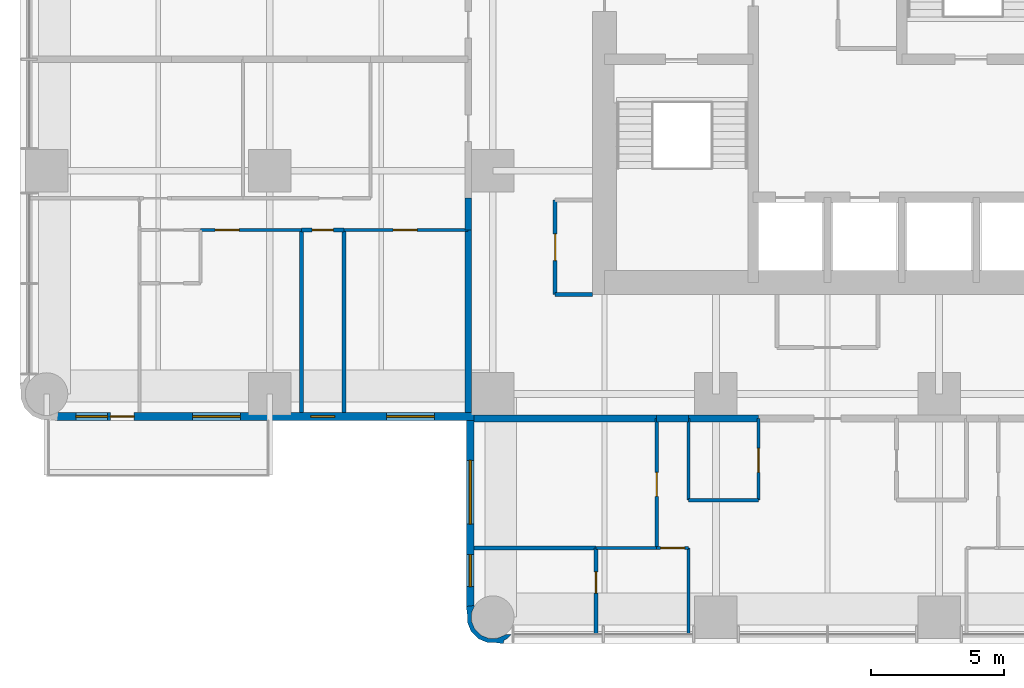
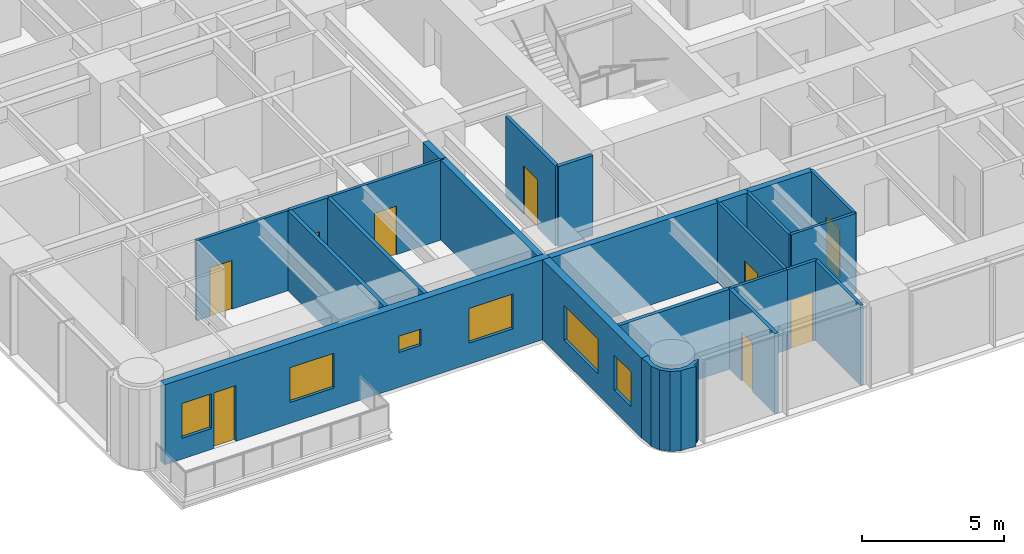
# One storey, part 6 of 15: 24 walls, 9 doors, 6 windows, 15 openings.
"""IFC4 building model written with IfcOpenShell, lengths in metres."""

from ifc_helpers import new_model, si_unit, direction, frame, frame_2d, origin, place, context, subcontext, project, spatial, polyline, rectangle, outline, extrude, material, layer, layer_set, type_object, element, fill, save


model = new_model("IFC4")

# Units and contexts
model_context = context("Model", 3, precision=1e-05, world=origin(), true_north=direction((0.0, 1.0)))
body_context = subcontext(model_context, "Body", "Model", "MODEL_VIEW")
ifc_project = project(units=[si_unit("LENGTHUNIT", "METRE"), si_unit("AREAUNIT", "SQUARE_METRE"), si_unit("VOLUMEUNIT", "CUBIC_METRE"), si_unit("PLANEANGLEUNIT", "RADIAN"), si_unit("MASSUNIT", "GRAM", prefix="KILO")], contexts=[model_context])

# Site, building, storey
site_placement = place(None, origin())
site = spatial("IfcSite", under=ifc_project, at=site_placement, CompositionType="ELEMENT")
building_placement = place(site_placement, origin())
building = spatial("IfcBuilding", under=site, at=building_placement, Name="Torre Alcanfor", CompositionType="ELEMENT")
storey_placement = place(building_placement, frame((0.0, 0.0, 116.10009765625)))
storey = spatial("IfcBuildingStorey", under=building, at=storey_placement, Name="L29", CompositionType="ELEMENT", Elevation=116.10009765625)

# Walls
ifc_material_1 = material(Name="Concrete block masonry, hollow blocks NMX-C-404 9 MPa", Category="masonry")
ifc_layer_1 = layer(ifc_material_1, 0.25)
ifc_layer_set_1 = layer_set([ifc_layer_1], Name="Apartment entrance wall 250 EI 60")
wall_type_1 = type_object("IfcWallType", Name="Apartment entrance wall 250 EI 60", PredefinedType="PARTITIONING", material=ifc_layer_set_1)
wall_1_placement = place(storey_placement, frame((26.800048828125, 15.875, 0.0), z_axis=(0.0, 0.0, 1.0), x_axis=(-1.0, 0.0, 0.0)))
element("IfcWall", 1, at=wall_1_placement, inside=storey, type_object=wall_type_1, Name="Partition L29-CORR / L29-SX-KITCHEN", PredefinedType="PARTITIONING", context=body_context, shape_type="SweptSolid", body=[
    extrude(rectangle(XDim=2.629150390625, YDim=0.25, at=frame_2d((1.314453125, 0.0))), origin(), (0.0, 0.0, 1.0), 3.449951171875),
])
wall_2_placement = place(storey_placement, frame((24.1708984375, 15.875, 0.0), z_axis=(0.0, 0.0, 1.0), x_axis=(-1.0, 0.0, 0.0)))
element("IfcWall", 2, at=wall_2_placement, inside=storey, type_object=wall_type_1, Name="Partition L29-CORR / L29-SX-LIVING", PredefinedType="PARTITIONING", context=body_context, shape_type="SweptSolid", body=[
    extrude(rectangle(XDim=1.199951171875, YDim=0.25, at=frame_2d((0.60009765625, 0.0))), origin(), (0.0, 0.0, 1.0), 3.449951171875),
])
wall_3_placement = place(storey_placement, frame((22.970947265625, 15.875, 0.0), z_axis=(0.0, 0.0, 1.0), x_axis=(-1.0, 0.0, 0.0)))
element("IfcWall", 3, at=wall_3_placement, inside=storey, type_object=wall_type_1, Name="Partition L29-CORR / L29-SX-BED3", PredefinedType="PARTITIONING", context=body_context, shape_type="SweptSolid", body=[
    extrude(rectangle(XDim=6.870849609375, YDim=0.25, at=frame_2d((3.435546875, 0.0))), origin(), (0.0, 0.0, 1.0), 3.449951171875),
])
wall_4_placement = place(storey_placement, frame((15.875, 22.970947265625, 0.0), z_axis=(0.0, 0.0, 1.0), x_axis=(0.0, 1.0, 0.0)))
element("IfcWall", 4, at=wall_4_placement, inside=storey, type_object=wall_type_1, Name="Partition L29-CORR / L29-W1-HALL", PredefinedType="PARTITIONING", context=body_context, shape_type="SweptSolid", body=[
    extrude(rectangle(XDim=1.199951171875, YDim=0.25, at=frame_2d((0.60009765625, 0.0))), origin(), (0.0, 0.0, 1.0), 3.449951171875),
])
wall_5_placement = place(storey_placement, frame((15.875, 16.10009765625, 0.0), z_axis=(0.0, 0.0, 1.0), x_axis=(0.0, 1.0, 0.0)))
element("IfcWall", 5, at=wall_5_placement, inside=storey, type_object=wall_type_1, Name="Partition L29-CORR / L29-W1-BED2", PredefinedType="PARTITIONING", context=body_context, shape_type="SweptSolid", body=[
    extrude(rectangle(XDim=6.870849609375, YDim=0.25, at=frame_2d((3.435546875, 0.0))), origin(), (0.0, 0.0, 1.0), 3.449951171875),
])

# Wall, opening, door
ifc_material_2 = material(Name="Gypsum board on steel studs", Category="steel")
ifc_layer_2 = layer(ifc_material_2, 0.1201171875)
ifc_layer_set_2 = layer_set([ifc_layer_2], Name="Apartment partition 120")
wall_type_2 = type_object("IfcWallType", Name="Apartment partition 120", PredefinedType="PARTITIONING", material=ifc_layer_set_2)
wall_6_placement = place(storey_placement, frame((26.800048828125, 15.875, 0.0), z_axis=(0.0, 0.0, 1.0), x_axis=(0.0, -1.0, 0.0)))
wall_6 = element("IfcWall", 6, at=wall_6_placement, inside=storey, type_object=wall_type_2, Name="Partition L29-SX-ZAG / L29-SX-KITCHEN", PredefinedType="PARTITIONING", context=body_context, shape_type="SweptSolid", body=[
    extrude(rectangle(XDim=3.074951171875, YDim=0.1201171875, at=frame_2d((1.53759765625, 0.0))), origin(), (0.0, 0.0, 1.0), 3.449951171875),
])
opening_1_placement = place(wall_6_placement, frame((1.125, 0.0, 0.0)))
opening_1 = element("IfcOpeningElement", 7, at=opening_1_placement, cuts=wall_6, Name="Opening D-R1", PredefinedType="OPENING", context=body_context, shape_type="SweptSolid", body=[
    extrude(rectangle(XDim=0.89990234375, YDim=2.10009765625, at=frame_2d((0.449951171875, 1.050048828125))), frame((0.0, 0.070068359375, 0.0), z_axis=(0.0, -1.0, 0.0), x_axis=(1.0, 0.0, 0.0)), (0.0, 0.0, 1.0), 0.14013671875),
])
ifc_material_3 = material(Name="Timber", Category="wood")
door_type_1 = type_object("IfcDoorType", Name="Internal door 900x2100", OperationType="SINGLE_SWING_LEFT", PredefinedType="DOOR", material=ifc_material_3)
door_1_placement = place(opening_1_placement, frame((0.89990234375, 0.0, 0.0), z_axis=(0.0, 0.0, 1.0), x_axis=(-1.0, 0.0, 0.0)))
door_1 = element("IfcDoor", 8, at=door_1_placement, inside=storey, type_object=door_type_1, Name="Door L29-SX kitchen", OperationType="SINGLE_SWING_LEFT", OverallHeight=2.10009765625, OverallWidth=0.89990234375, PredefinedType="DOOR", context=body_context, shape_type="SweptSolid", body=[
    extrude(rectangle(XDim=0.89990234375, YDim=2.10009765625, at=frame_2d((0.449951171875, 1.050048828125))), frame((0.0, 0.025146484375, 0.0), z_axis=(0.0, -1.0, 0.0), x_axis=(1.0, 0.0, 0.0)), (0.0, 0.0, 1.0), 0.050048828125),
])
fill(opening_1, door_1)

# Walls
wall_7_placement = place(storey_placement, frame((24.1708984375, 15.875, 0.0), z_axis=(0.0, 0.0, 1.0), x_axis=(0.0, -1.0, 0.0)))
element("IfcWall", 9, at=wall_7_placement, inside=storey, type_object=wall_type_2, Name="Partition L29-SX-KITCHEN / L29-SX-LIVING", PredefinedType="PARTITIONING", context=body_context, shape_type="SweptSolid", body=[
    extrude(rectangle(XDim=3.074951171875, YDim=0.1201171875, at=frame_2d((1.53759765625, 0.0))), origin(), (0.0, 0.0, 1.0), 3.449951171875),
])
wall_8_placement = place(storey_placement, frame((24.1708984375, 12.800048828125, 0.0), z_axis=(0.0, 0.0, 1.0), x_axis=(1.0, 0.0, 0.0)))
element("IfcWall", 10, at=wall_8_placement, inside=storey, type_object=wall_type_2, Name="Partition L29-SX-KITCHEN / L29-SX-LIVING", PredefinedType="PARTITIONING", context=body_context, shape_type="SweptSolid", body=[
    extrude(rectangle(XDim=2.629150390625, YDim=0.1201171875, at=frame_2d((1.314453125, 0.0))), origin(), (0.0, 0.0, 1.0), 3.449951171875),
])

# Wall, opening, door
wall_9_placement = place(storey_placement, frame((22.970947265625, 11.0, 0.0), z_axis=(0.0, 0.0, 1.0), x_axis=(0.0, 1.0, 0.0)))
wall_9 = element("IfcWall", 11, at=wall_9_placement, inside=storey, type_object=wall_type_2, Name="Partition L29-SX-LIVING / L29-SX-BED3", PredefinedType="PARTITIONING", context=body_context, shape_type="SweptSolid", body=[
    extrude(rectangle(XDim=4.875, YDim=0.1201171875, at=frame_2d((2.4375, 0.0))), origin(), (0.0, 0.0, 1.0), 3.449951171875),
])
opening_2_placement = place(wall_9_placement, frame((1.949951171875, 0.0, 0.0)))
opening_2 = element("IfcOpeningElement", 12, at=opening_2_placement, cuts=wall_9, Name="Opening D-R1", PredefinedType="OPENING", context=body_context, shape_type="SweptSolid", body=[
    extrude(rectangle(XDim=0.89990234375, YDim=2.10009765625, at=frame_2d((0.449951171875, 1.050048828125))), frame((0.0, 0.070068359375, 0.0), z_axis=(0.0, -1.0, 0.0), x_axis=(1.0, 0.0, 0.0)), (0.0, 0.0, 1.0), 0.14013671875),
])
door_2_placement = place(opening_2_placement, origin())
door_2 = element("IfcDoor", 13, at=door_2_placement, inside=storey, type_object=door_type_1, Name="Door L29-SX bed3", OperationType="SINGLE_SWING_LEFT", OverallHeight=2.10009765625, OverallWidth=0.89990234375, PredefinedType="DOOR", context=body_context, shape_type="SweptSolid", body=[
    extrude(rectangle(XDim=0.89990234375, YDim=2.10009765625, at=frame_2d((0.449951171875, 1.050048828125))), frame((0.0, 0.02490234375, 0.0), z_axis=(0.0, -1.0, 0.0), x_axis=(1.0, 0.0, 0.0)), (0.0, 0.0, 1.0), 0.050048828125),
])
fill(opening_2, door_2)

# Wall
wall_10_placement = place(storey_placement, frame((24.1708984375, 7.75, 0.0), z_axis=(0.0, 0.0, 1.0), x_axis=(0.0, 1.0, 0.0)))
element("IfcWall", 14, at=wall_10_placement, inside=storey, type_object=wall_type_2, Name="Partition L29-SX-LIVING / L29-SX-BED1", PredefinedType="PARTITIONING", context=body_context, shape_type="SweptSolid", body=[
    extrude(rectangle(XDim=3.25, YDim=0.1201171875, at=frame_2d((1.625, 0.0))), origin(), (0.0, 0.0, 1.0), 3.449951171875),
])

# Wall, opening, door
wall_11_placement = place(storey_placement, frame((24.1708984375, 11.0, 0.0), z_axis=(0.0, 0.0, 1.0), x_axis=(-1.0, 0.0, 0.0)))
wall_11 = element("IfcWall", 15, at=wall_11_placement, inside=storey, type_object=wall_type_2, Name="Partition L29-SX-LIVING / L29-SX-BED1", PredefinedType="PARTITIONING", context=body_context, shape_type="SweptSolid", body=[
    extrude(rectangle(XDim=1.199951171875, YDim=0.1201171875, at=frame_2d((0.60009765625, 0.0))), origin(), (0.0, 0.0, 1.0), 3.449951171875),
])
opening_3_placement = place(wall_11_placement, frame((0.15087890625, 0.0, 0.0)))
opening_3 = element("IfcOpeningElement", 16, at=opening_3_placement, cuts=wall_11, Name="Opening D-R1", PredefinedType="OPENING", context=body_context, shape_type="SweptSolid", body=[
    extrude(rectangle(XDim=0.89990234375, YDim=2.10009765625, at=frame_2d((0.449951171875, 1.050048828125))), frame((0.0, 0.070068359375, 0.0), z_axis=(0.0, -1.0, 0.0), x_axis=(1.0, 0.0, 0.0)), (0.0, 0.0, 1.0), 0.14013671875),
])
door_3_placement = place(opening_3_placement, origin())
door_3 = element("IfcDoor", 17, at=door_3_placement, inside=storey, type_object=door_type_1, Name="Door L29-SX bed1", OperationType="SINGLE_SWING_LEFT", OverallHeight=2.10009765625, OverallWidth=0.89990234375, PredefinedType="DOOR", context=body_context, shape_type="SweptSolid", body=[
    extrude(rectangle(XDim=0.89990234375, YDim=2.10009765625, at=frame_2d((0.449951171875, 1.050048828125))), frame((0.0, 0.02490234375, 0.0), z_axis=(0.0, -1.0, 0.0), x_axis=(1.0, 0.0, 0.0)), (0.0, 0.0, 1.0), 0.050048828125),
])
fill(opening_3, door_3)

# Wall
wall_12_placement = place(storey_placement, frame((20.68603515625, 11.0, 0.0), z_axis=(0.0, 0.0, 1.0), x_axis=(1.0, 0.0, 0.0)))
element("IfcWall", 18, at=wall_12_placement, inside=storey, type_object=wall_type_2, Name="Partition L29-SX-BED3 / L29-SX-BED1", PredefinedType="PARTITIONING", context=body_context, shape_type="SweptSolid", body=[
    extrude(rectangle(XDim=2.284912109375, YDim=0.1201171875, at=frame_2d((1.142578125, 0.0))), origin(), (0.0, 0.0, 1.0), 3.449951171875),
])

# Wall, opening, door
wall_13_placement = place(storey_placement, frame((11.199951171875, 22.970947265625, 0.0), z_axis=(0.0, 0.0, 1.0), x_axis=(1.0, 0.0, 0.0)))
wall_13 = element("IfcWall", 19, at=wall_13_placement, inside=storey, type_object=wall_type_2, Name="Partition L29-W1-HALL / L29-W1-BED2", PredefinedType="PARTITIONING", context=body_context, shape_type="SweptSolid", body=[
    extrude(rectangle(XDim=4.675048828125, YDim=0.1201171875, at=frame_2d((2.33740234375, 0.0))), origin(), (0.0, 0.0, 1.0), 3.449951171875),
])
opening_4_placement = place(wall_13_placement, frame((1.85009765625, 0.0, 0.0)))
opening_4 = element("IfcOpeningElement", 20, at=opening_4_placement, cuts=wall_13, Name="Opening D-R1", PredefinedType="OPENING", context=body_context, shape_type="SweptSolid", body=[
    extrude(rectangle(XDim=0.89990234375, YDim=2.10009765625, at=frame_2d((0.449951171875, 1.050048828125))), frame((0.0, 0.070068359375, 0.0), z_axis=(0.0, -1.0, 0.0), x_axis=(1.0, 0.0, 0.0)), (0.0, 0.0, 1.0), 0.14013671875),
])
door_4_placement = place(opening_4_placement, frame((0.89990234375, 0.0, 0.0), z_axis=(0.0, 0.0, 1.0), x_axis=(-1.0, 0.0, 0.0)))
door_4 = element("IfcDoor", 21, at=door_4_placement, inside=storey, type_object=door_type_1, Name="Door L29-W1 bed2", OperationType="SINGLE_SWING_RIGHT", OverallHeight=2.10009765625, OverallWidth=0.89990234375, PredefinedType="DOOR", context=body_context, shape_type="SweptSolid", body=[
    extrude(rectangle(XDim=0.89990234375, YDim=2.10009765625, at=frame_2d((0.449951171875, 1.050048828125))), frame((0.0, 0.025146484375, 0.0), z_axis=(0.0, -1.0, 0.0), x_axis=(1.0, 0.0, 0.0)), (0.0, 0.0, 1.0), 0.050048828125),
])
fill(opening_4, door_4)

wall_14_placement = place(storey_placement, frame((5.800048828125, 22.970947265625, 0.0), z_axis=(0.0, 0.0, 1.0), x_axis=(1.0, 0.0, 0.0)))
wall_14 = element("IfcWall", 22, at=wall_14_placement, inside=storey, type_object=wall_type_2, Name="Partition L29-W1-HALL / L29-W1-MASTER", PredefinedType="PARTITIONING", context=body_context, shape_type="SweptSolid", body=[
    extrude(rectangle(XDim=3.800048828125, YDim=0.1201171875, at=frame_2d((1.89990234375, 0.0))), origin(), (0.0, 0.0, 1.0), 3.449951171875),
])
opening_5_placement = place(wall_14_placement, frame((0.550048828125, 0.0, 0.0)))
opening_5 = element("IfcOpeningElement", 23, at=opening_5_placement, cuts=wall_14, Name="Opening D-R1", PredefinedType="OPENING", context=body_context, shape_type="SweptSolid", body=[
    extrude(rectangle(XDim=0.89990234375, YDim=2.10009765625, at=frame_2d((0.449951171875, 1.050048828125))), frame((0.0, 0.070068359375, 0.0), z_axis=(0.0, -1.0, 0.0), x_axis=(1.0, 0.0, 0.0)), (0.0, 0.0, 1.0), 0.14013671875),
])
door_5_placement = place(opening_5_placement, frame((0.89990234375, 0.0, 0.0), z_axis=(0.0, 0.0, 1.0), x_axis=(-1.0, 0.0, 0.0)))
door_5 = element("IfcDoor", 24, at=door_5_placement, inside=storey, type_object=door_type_1, Name="Door L29-W1 master", OperationType="SINGLE_SWING_RIGHT", OverallHeight=2.10009765625, OverallWidth=0.89990234375, PredefinedType="DOOR", context=body_context, shape_type="SweptSolid", body=[
    extrude(rectangle(XDim=0.89990234375, YDim=2.10009765625, at=frame_2d((0.449951171875, 1.050048828125))), frame((0.0, 0.025146484375, 0.0), z_axis=(0.0, -1.0, 0.0), x_axis=(1.0, 0.0, 0.0)), (0.0, 0.0, 1.0), 0.050048828125),
])
fill(opening_5, door_5)

# Wall, openings, door, windows
ifc_material_4 = material(Name="Limestone cladding", Category="masonry")
ifc_layer_3 = layer(ifc_material_4, 0.0400390625, Name="Facing")
ifc_material_5 = material(Name="Ventilated air cavity")
ifc_layer_4 = layer(ifc_material_5, 0.02001953125, ventilated=True, Name="Ventilated joint")
ifc_material_6 = material(Name="Mineral wool insulation", Category="insulation")
ifc_layer_5 = layer(ifc_material_6, 0.10009765625, Name="Insulation")
ifc_material_7 = material(Name="Concrete f'c 35 MPa", Category="concrete")
ifc_layer_6 = layer(ifc_material_7, 0.139892578125, Name="Backing")
ifc_layer_set_3 = layer_set([ifc_layer_3, ifc_layer_4, ifc_layer_5, ifc_layer_6], Name="External wall stone-clad 300")
wall_type_3 = type_object("IfcWallType", Name="External wall stone-clad 300", PredefinedType="SOLIDWALL", material=ifc_layer_set_3)
wall_15_placement = place(storey_placement, frame((0.39990234375, 15.949951171875, 0.0), z_axis=(0.0, 0.0, 1.0), x_axis=(1.0, 0.0, 0.0)))
wall_15 = element("IfcWall", 25, at=wall_15_placement, inside=storey, type_object=wall_type_3, Name="External wall L29 3", PredefinedType="SOLIDWALL", context=body_context, shape_type="SweptSolid", body=[
    extrude(rectangle(XDim=15.7001953125, YDim=0.300048828125, at=frame_2d((7.85009765625, 0.0))), origin(), (0.0, 0.0, 1.0), 3.449951171875),
])
opening_6_placement = place(wall_15_placement, frame((12.39990234375, 0.0, 0.89990234375)))
opening_6 = element("IfcOpeningElement", 26, at=opening_6_placement, cuts=wall_15, Name="Opening W2", PredefinedType="OPENING", context=body_context, shape_type="SweptSolid", body=[
    extrude(rectangle(XDim=1.800048828125, YDim=1.5, at=frame_2d((0.89990234375, 0.75))), frame((0.0, 0.159912109375, 0.0), z_axis=(0.0, -1.0, 0.0), x_axis=(1.0, 0.0, 0.0)), (0.0, 0.0, 1.0), 0.320068359375),
])
opening_7_placement = place(wall_15_placement, frame((9.550048828125, 0.0, 1.5)))
opening_7 = element("IfcOpeningElement", 27, at=opening_7_placement, cuts=wall_15, Name="Opening W3", PredefinedType="OPENING", context=body_context, shape_type="SweptSolid", body=[
    extrude(rectangle(XDim=0.89990234375, YDim=0.699951171875, at=frame_2d((0.449951171875, 0.35009765625))), frame((0.0, 0.159912109375, 0.0), z_axis=(0.0, -1.0, 0.0), x_axis=(1.0, 0.0, 0.0)), (0.0, 0.0, 1.0), 0.320068359375),
])
opening_8_placement = place(wall_15_placement, frame((5.10009765625, 0.0, 0.89990234375)))
opening_8 = element("IfcOpeningElement", 28, at=opening_8_placement, cuts=wall_15, Name="Opening W2", PredefinedType="OPENING", context=body_context, shape_type="SweptSolid", body=[
    extrude(rectangle(XDim=1.800048828125, YDim=1.5, at=frame_2d((0.89990234375, 0.75))), frame((0.0, 0.159912109375, 0.0), z_axis=(0.0, -1.0, 0.0), x_axis=(1.0, 0.0, 0.0)), (0.0, 0.0, 1.0), 0.320068359375),
])
opening_9_placement = place(wall_15_placement, frame((2.0, 0.0, 0.0)))
opening_9 = element("IfcOpeningElement", 29, at=opening_9_placement, cuts=wall_15, Name="Opening D-B1", PredefinedType="OPENING", context=body_context, shape_type="SweptSolid", body=[
    extrude(rectangle(XDim=0.89990234375, YDim=2.39990234375, at=frame_2d((0.449951171875, 1.199951171875))), frame((0.0, 0.159912109375, 0.0), z_axis=(0.0, -1.0, 0.0), x_axis=(1.0, 0.0, 0.0)), (0.0, 0.0, 1.0), 0.320068359375),
])
opening_10_placement = place(wall_15_placement, frame((0.699951171875, 0.0, 0.89990234375)))
opening_10 = element("IfcOpeningElement", 30, at=opening_10_placement, cuts=wall_15, Name="Opening W4", PredefinedType="OPENING", context=body_context, shape_type="SweptSolid", body=[
    extrude(rectangle(XDim=1.199951171875, YDim=1.5, at=frame_2d((0.60009765625, 0.75))), frame((0.0, 0.159912109375, 0.0), z_axis=(0.0, -1.0, 0.0), x_axis=(1.0, 0.0, 0.0)), (0.0, 0.0, 1.0), 0.320068359375),
])
ifc_material_8 = material(Name="Aluminium and glass", Category="aluminium")
door_type_2 = type_object("IfcDoorType", Name="Balcony door glazed 900x2400", OperationType="SINGLE_SWING_LEFT", PredefinedType="DOOR", material=ifc_material_8)
door_6_placement = place(opening_9_placement, origin())
door_6 = element("IfcDoor", 31, at=door_6_placement, inside=storey, type_object=door_type_2, Name="Balcony door L29-W1", OperationType="SINGLE_SWING_RIGHT", OverallHeight=2.39990234375, OverallWidth=0.89990234375, PredefinedType="DOOR", context=body_context, shape_type="SweptSolid", body=[
    extrude(rectangle(XDim=0.89990234375, YDim=2.39990234375, at=frame_2d((0.449951171875, 1.199951171875))), frame((0.0, 0.02490234375, 0.0), z_axis=(0.0, -1.0, 0.0), x_axis=(1.0, 0.0, 0.0)), (0.0, 0.0, 1.0), 0.050048828125),
])
fill(opening_9, door_6)
ifc_material_9 = material(Name="Aluminium frame with clear double glazing", Category="aluminium")
window_type_1 = type_object("IfcWindowType", Name="Window bathroom 900x700", PartitioningType="SINGLE_PANEL", PredefinedType="WINDOW", material=ifc_material_9)
window_1_placement = place(opening_7_placement, origin())
window_1 = element("IfcWindow", 32, at=window_1_placement, inside=storey, type_object=window_type_1, Name="Window W3 L29-W1", OverallHeight=0.699951171875, OverallWidth=0.89990234375, PartitioningType="SINGLE_PANEL", PredefinedType="WINDOW", context=body_context, shape_type="SweptSolid", body=[
    extrude(rectangle(XDim=0.89990234375, YDim=0.699951171875, at=frame_2d((0.449951171875, 0.35009765625))), frame((0.0, 0.030029296875, 0.0), z_axis=(0.0, -1.0, 0.0), x_axis=(1.0, 0.0, 0.0)), (0.0, 0.0, 1.0), 0.06005859375),
])
fill(opening_7, window_1)
ifc_material_10 = material(Name="Aluminium frame with clear double glazing", Category="aluminium")
window_type_2 = type_object("IfcWindowType", Name="Window bedroom 1200x1500", PartitioningType="SINGLE_PANEL", PredefinedType="WINDOW", material=ifc_material_10)
window_2_placement = place(opening_10_placement, origin())
window_2 = element("IfcWindow", 33, at=window_2_placement, inside=storey, type_object=window_type_2, Name="Window W4 L29-W1", OverallHeight=1.5, OverallWidth=1.199951171875, PartitioningType="SINGLE_PANEL", PredefinedType="WINDOW", context=body_context, shape_type="SweptSolid", body=[
    extrude(rectangle(XDim=1.199951171875, YDim=1.5, at=frame_2d((0.60009765625, 0.75))), frame((0.0, 0.030029296875, 0.0), z_axis=(0.0, -1.0, 0.0), x_axis=(1.0, 0.0, 0.0)), (0.0, 0.0, 1.0), 0.06005859375),
])
fill(opening_10, window_2)
ifc_material_11 = material(Name="Aluminium frame with clear double glazing", Category="aluminium")
window_type_3 = type_object("IfcWindowType", Name="Window bedroom 1800x1500", PartitioningType="SINGLE_PANEL", PredefinedType="WINDOW", material=ifc_material_11)
window_3_placement = place(opening_6_placement, origin())
window_3 = element("IfcWindow", 34, at=window_3_placement, inside=storey, type_object=window_type_3, Name="Window W2 L29-W1", OverallHeight=1.5, OverallWidth=1.800048828125, PartitioningType="SINGLE_PANEL", PredefinedType="WINDOW", context=body_context, shape_type="SweptSolid", body=[
    extrude(rectangle(XDim=1.800048828125, YDim=1.5, at=frame_2d((0.89990234375, 0.75))), frame((0.0, 0.030029296875, 0.0), z_axis=(0.0, -1.0, 0.0), x_axis=(1.0, 0.0, 0.0)), (0.0, 0.0, 1.0), 0.06005859375),
])
fill(opening_6, window_3)
window_4_placement = place(opening_8_placement, origin())
window_4 = element("IfcWindow", 35, at=window_4_placement, inside=storey, type_object=window_type_3, Name="Window W2 L29-W1", OverallHeight=1.5, OverallWidth=1.800048828125, PartitioningType="SINGLE_PANEL", PredefinedType="WINDOW", context=body_context, shape_type="SweptSolid", body=[
    extrude(rectangle(XDim=1.800048828125, YDim=1.5, at=frame_2d((0.89990234375, 0.75))), frame((0.0, 0.030029296875, 0.0), z_axis=(0.0, -1.0, 0.0), x_axis=(1.0, 0.0, 0.0)), (0.0, 0.0, 1.0), 0.06005859375),
])
fill(opening_8, window_4)

# Wall, openings, windows
wall_16_placement = place(storey_placement, frame((15.949951171875, 15.800048828125, 0.0), z_axis=(0.0, 0.0, 1.0), x_axis=(0.0, -1.0, 0.0)))
wall_16 = element("IfcWall", 36, at=wall_16_placement, inside=storey, type_object=wall_type_3, Name="External wall L29 4", PredefinedType="SOLIDWALL", context=body_context, shape_type="SweptSolid", body=[
    extrude(rectangle(XDim=7.0, YDim=0.300048828125, at=frame_2d((3.5, 0.0))), origin(), (0.0, 0.0, 1.0), 3.449951171875),
])
opening_11_placement = place(wall_16_placement, frame((1.5, 0.0, 0.89990234375)))
opening_11 = element("IfcOpeningElement", 37, at=opening_11_placement, cuts=wall_16, Name="Opening W1", PredefinedType="OPENING", context=body_context, shape_type="SweptSolid", body=[
    extrude(rectangle(XDim=2.39990234375, YDim=1.5, at=frame_2d((1.199951171875, 0.75))), frame((0.0, 0.159912109375, 0.0), z_axis=(0.0, -1.0, 0.0), x_axis=(1.0, 0.0, 0.0)), (0.0, 0.0, 1.0), 0.320068359375),
])
opening_12_placement = place(wall_16_placement, frame((5.050048828125, 0.0, 0.89990234375)))
opening_12 = element("IfcOpeningElement", 38, at=opening_12_placement, cuts=wall_16, Name="Opening W4", PredefinedType="OPENING", context=body_context, shape_type="SweptSolid", body=[
    extrude(rectangle(XDim=1.199951171875, YDim=1.5, at=frame_2d((0.60009765625, 0.75))), frame((0.0, 0.159912109375, 0.0), z_axis=(0.0, -1.0, 0.0), x_axis=(1.0, 0.0, 0.0)), (0.0, 0.0, 1.0), 0.320068359375),
])
window_5_placement = place(opening_12_placement, origin())
window_5 = element("IfcWindow", 39, at=window_5_placement, inside=storey, type_object=window_type_2, Name="Window W4 L29-S2", OverallHeight=1.5, OverallWidth=1.199951171875, PartitioningType="SINGLE_PANEL", PredefinedType="WINDOW", context=body_context, shape_type="SweptSolid", body=[
    extrude(rectangle(XDim=1.199951171875, YDim=1.5, at=frame_2d((0.60009765625, 0.75))), frame((0.0, 0.030029296875, 0.0), z_axis=(0.0, -1.0, 0.0), x_axis=(1.0, 0.0, 0.0)), (0.0, 0.0, 1.0), 0.06005859375),
])
fill(opening_12, window_5)
ifc_material_12 = material(Name="Aluminium frame with clear double glazing", Category="aluminium")
window_type_4 = type_object("IfcWindowType", Name="Window bedroom 2400x1500", PartitioningType="SINGLE_PANEL", PredefinedType="WINDOW", material=ifc_material_12)
window_6_placement = place(opening_11_placement, origin())
window_6 = element("IfcWindow", 40, at=window_6_placement, inside=storey, type_object=window_type_4, Name="Window W1 L29-S2", OverallHeight=1.5, OverallWidth=2.39990234375, PartitioningType="SINGLE_PANEL", PredefinedType="WINDOW", context=body_context, shape_type="SweptSolid", body=[
    extrude(rectangle(XDim=2.39990234375, YDim=1.5, at=frame_2d((1.199951171875, 0.75))), frame((0.0, 0.030029296875, 0.0), z_axis=(0.0, -1.0, 0.0), x_axis=(1.0, 0.0, 0.0)), (0.0, 0.0, 1.0), 0.06005859375),
])
fill(opening_11, window_6)

# Wall, opening, door
ifc_material_13 = material(Name="Concrete block masonry, hollow blocks NMX-C-404 9 MPa", Category="masonry")
ifc_layer_7 = layer(ifc_material_13, 0.14990234375)
ifc_layer_set_4 = layer_set([ifc_layer_7], Name="Residents' room partition 150")
wall_type_4 = type_object("IfcWallType", Name="Residents' room partition 150", PredefinedType="PARTITIONING", material=ifc_layer_set_4)
wall_17_placement = place(storey_placement, frame((19.14990234375, 24.10009765625, 0.0), z_axis=(0.0, 0.0, 1.0), x_axis=(0.0, -1.0, 0.0)))
wall_17 = element("IfcWall", 41, at=wall_17_placement, inside=storey, type_object=wall_type_4, Name="Partition L29-CORR / L29-G06", PredefinedType="PARTITIONING", context=body_context, shape_type="SweptSolid", body=[
    extrude(rectangle(XDim=3.550048828125, YDim=0.14990234375, at=frame_2d((1.77490234375, 0.0))), origin(), (0.0, 0.0, 1.0), 3.449951171875),
])
opening_13_placement = place(wall_17_placement, frame((1.27490234375, 0.0, 0.0)))
opening_13 = element("IfcOpeningElement", 42, at=opening_13_placement, cuts=wall_17, Name="Opening D-M1", PredefinedType="OPENING", context=body_context, shape_type="SweptSolid", body=[
    extrude(rectangle(XDim=1.0, YDim=2.10009765625, at=frame_2d((0.5, 1.050048828125))), frame((0.0, 0.0849609375, 0.0), z_axis=(0.0, -1.0, 0.0), x_axis=(1.0, 0.0, 0.0)), (0.0, 0.0, 1.0), 0.169921875),
])
ifc_material_14 = material(Name="Timber", Category="wood")
door_type_3 = type_object("IfcDoorType", Name="Residents' room door 1000x2100", OperationType="SINGLE_SWING_LEFT", PredefinedType="DOOR", material=ifc_material_14)
door_7_placement = place(opening_13_placement, origin())
door_7 = element("IfcDoor", 43, at=door_7_placement, inside=storey, type_object=door_type_3, Name="Door L29-G06 parcel room", OperationType="SINGLE_SWING_LEFT", OverallHeight=2.10009765625, OverallWidth=1.0, PredefinedType="DOOR", context=body_context, shape_type="SweptSolid", body=[
    extrude(rectangle(XDim=1.0, YDim=2.10009765625, at=frame_2d((0.5, 1.050048828125))), frame((0.0, 0.02490234375, 0.0), z_axis=(0.0, -1.0, 0.0), x_axis=(1.0, 0.0, 0.0)), (0.0, 0.0, 1.0), 0.050048828125),
])
fill(opening_13, door_7)

# Walls
wall_18_placement = place(storey_placement, frame((19.14990234375, 20.550048828125, 0.0), z_axis=(0.0, 0.0, 1.0), x_axis=(1.0, 0.0, 0.0)))
element("IfcWall", 44, at=wall_18_placement, inside=storey, type_object=wall_type_4, Name="Partition L29-CORR / L29-G06", PredefinedType="PARTITIONING", context=body_context, shape_type="SweptSolid", body=[
    extrude(rectangle(XDim=1.400146484375, YDim=0.14990234375, at=frame_2d((0.7001953125, 0.0))), origin(), (0.0, 0.0, 1.0), 3.449951171875),
])
ifc_layer_8 = layer(ifc_material_4, 0.0400390625, Name="Facing")
ifc_layer_9 = layer(ifc_material_5, 0.02001953125, ventilated=True, Name="Ventilated joint")
ifc_layer_10 = layer(ifc_material_6, 0.10009765625, Name="Insulation")
ifc_layer_11 = layer(ifc_material_7, 0.139892578125, Name="Backing")
ifc_layer_set_5 = layer_set([ifc_layer_8, ifc_layer_9, ifc_layer_10, ifc_layer_11], Name="Rounded corner pier stone-clad 300")
wall_type_5 = type_object("IfcWallType", Name="Rounded corner pier stone-clad 300", PredefinedType="SOLIDWALL", material=ifc_layer_set_5)
wall_19_placement = place(storey_placement, frame((15.982940512, 8.726823795, 0.0), z_axis=(0.0, 0.0, 1.0), x_axis=(-0.343276641956, -0.93923434088, 0.0)))
element("IfcWall", 45, at=wall_19_placement, inside=storey, type_object=wall_type_5, Name="Corner pier L29 15", PredefinedType="SOLIDWALL", context=body_context, shape_type="SweptSolid", body=[
    extrude(outline(polyline([(0.8285188621172053, 1.5985593448955209), (0.6965961152022397, 1.5690588556644411), (0.6041961706613557, 1.669674810951586), (0.3940973255728224, 1.767303623446145), (0.47128428534856764, 1.55611347990365), (0.5085447362659081, 1.5387992791780876), (0.7240402358503313, 1.3040772160031127), (0.8334093808094493, 1.0048338530031606), (0.8200582319080854, 0.6864716314609828), (0.6857640531711582, 0.3974683020769049), (0.4510419899961833, 0.18197280249248177), (0.15179862699623123, 0.07260365753336384), (-0.11622928371084919, 0.08407628105020303), (-0.1273371975026375, 0.0781969477675098), (-0.14614022874094865, 0.07132471030647711), (-0.0059930226407584886, -0.19691459363495123), (0.26574754989690047, -0.054967852634112954), (0.535410534485363, 0.043590089489965705), (0.8166395849446566, 0.30181686768145743), (0.9775598034528271, 0.6481198820896807), (0.9938114202888776, 1.0296668379252687), (0.8951696703908839, 1.299559127772735), (0.8285188621172053, 1.5985593448955209)])), origin(), (0.0, 0.0, 1.0), 3.449951171875),
])
ifc_material_15 = material(Name="Cement board on steel studs", Category="steel")
ifc_layer_12 = layer(ifc_material_15, 0.14990234375)
ifc_layer_set_6 = layer_set([ifc_layer_12], Name="Wet area partition 150")
wall_type_6 = type_object("IfcWallType", Name="Wet area partition 150", PredefinedType="PARTITIONING", material=ifc_layer_set_6)
wall_20_placement = place(storey_placement, frame((16.10009765625, 11.0, 0.0), z_axis=(0.0, 0.0, 1.0), x_axis=(1.0, 0.0, 0.0)))
element("IfcWall", 46, at=wall_20_placement, inside=storey, type_object=wall_type_6, Name="Partition L29-SX-BED3 / L29-SX-BATH1", PredefinedType="PARTITIONING", context=body_context, shape_type="SweptSolid", body=[
    extrude(rectangle(XDim=4.5859375, YDim=0.14990234375, at=frame_2d((2.29296875, 0.0))), origin(), (0.0, 0.0, 1.0), 3.449951171875),
])

# Wall, opening, door
wall_21_placement = place(storey_placement, frame((20.68603515625, 7.75, 0.0), z_axis=(0.0, 0.0, 1.0), x_axis=(0.0, 1.0, 0.0)))
wall_21 = element("IfcWall", 47, at=wall_21_placement, inside=storey, type_object=wall_type_6, Name="Partition L29-SX-BATH1 / L29-SX-BED1", PredefinedType="PARTITIONING", context=body_context, shape_type="SweptSolid", body=[
    extrude(rectangle(XDim=3.25, YDim=0.14990234375, at=frame_2d((1.625, 0.0))), origin(), (0.0, 0.0, 1.0), 3.449951171875),
])
opening_14_placement = place(wall_21_placement, frame((1.550048828125, 0.0, 0.0)))
opening_14 = element("IfcOpeningElement", 48, at=opening_14_placement, cuts=wall_21, Name="Opening D-R2", PredefinedType="OPENING", context=body_context, shape_type="SweptSolid", body=[
    extrude(rectangle(XDim=0.800048828125, YDim=2.10009765625, at=frame_2d((0.39990234375, 1.050048828125))), frame((0.0, 0.0849609375, 0.0), z_axis=(0.0, -1.0, 0.0), x_axis=(1.0, 0.0, 0.0)), (0.0, 0.0, 1.0), 0.169921875),
])
ifc_material_16 = material(Name="Timber", Category="wood")
door_type_4 = type_object("IfcDoorType", Name="Bathroom door 800x2100", OperationType="SINGLE_SWING_LEFT", PredefinedType="DOOR", material=ifc_material_16)
door_8_placement = place(opening_14_placement, frame((0.800048828125, 0.0, 0.0), z_axis=(0.0, 0.0, 1.0), x_axis=(-1.0, 0.0, 0.0)))
door_8 = element("IfcDoor", 49, at=door_8_placement, inside=storey, type_object=door_type_4, Name="Door L29-SX bath1", OperationType="SINGLE_SWING_LEFT", OverallHeight=2.10009765625, OverallWidth=0.800048828125, PredefinedType="DOOR", context=body_context, shape_type="SweptSolid", body=[
    extrude(rectangle(XDim=0.800048828125, YDim=2.10009765625, at=frame_2d((0.400146484375, 1.050048828125))), frame((0.0, 0.025146484375, 0.0), z_axis=(0.0, -1.0, 0.0), x_axis=(1.0, 0.0, 0.0)), (0.0, 0.0, 1.0), 0.050048828125),
])
fill(opening_14, door_8)

wall_22_placement = place(storey_placement, frame((9.60009765625, 22.970947265625, 0.0), z_axis=(0.0, 0.0, 1.0), x_axis=(1.0, 0.0, 0.0)))
wall_22 = element("IfcWall", 50, at=wall_22_placement, inside=storey, type_object=wall_type_6, Name="Partition L29-W1-HALL / L29-W1-BATH1", PredefinedType="PARTITIONING", context=body_context, shape_type="SweptSolid", body=[
    extrude(rectangle(XDim=1.599853515625, YDim=0.14990234375, at=frame_2d((0.7998046875, 0.0))), origin(), (0.0, 0.0, 1.0), 3.449951171875),
])
opening_15_placement = place(wall_22_placement, frame((0.39990234375, 0.0, 0.0)))
opening_15 = element("IfcOpeningElement", 51, at=opening_15_placement, cuts=wall_22, Name="Opening D-R2", PredefinedType="OPENING", context=body_context, shape_type="SweptSolid", body=[
    extrude(rectangle(XDim=0.800048828125, YDim=2.10009765625, at=frame_2d((0.39990234375, 1.050048828125))), frame((0.0, 0.0849609375, 0.0), z_axis=(0.0, -1.0, 0.0), x_axis=(1.0, 0.0, 0.0)), (0.0, 0.0, 1.0), 0.169921875),
])
door_9_placement = place(opening_15_placement, frame((0.800048828125, 0.0, 0.0), z_axis=(0.0, 0.0, 1.0), x_axis=(-1.0, 0.0, 0.0)))
door_9 = element("IfcDoor", 52, at=door_9_placement, inside=storey, type_object=door_type_4, Name="Door L29-W1 bath1", OperationType="SINGLE_SWING_RIGHT", OverallHeight=2.10009765625, OverallWidth=0.800048828125, PredefinedType="DOOR", context=body_context, shape_type="SweptSolid", body=[
    extrude(rectangle(XDim=0.800048828125, YDim=2.10009765625, at=frame_2d((0.400146484375, 1.050048828125))), frame((0.0, 0.025146484375, 0.0), z_axis=(0.0, -1.0, 0.0), x_axis=(1.0, 0.0, 0.0)), (0.0, 0.0, 1.0), 0.050048828125),
])
fill(opening_15, door_9)

# Walls
for number, where, z_axis, x_axis, name in (
    (53, (11.199951171875, 22.970947265625, 0.0), (0.0, 0.0, 1.0), (0.0, -1.0, 0.0), "Partition L29-W1-BED2 / L29-W1-BATH1"),
    (54, (9.60009765625, 22.970947265625, 0.0), (0.0, 0.0, 1.0), (0.0, -1.0, 0.0), "Partition L29-W1-BATH1 / L29-W1-MASTER"),
):
    element("IfcWall", number, at=place(storey_placement, frame(where, z_axis=z_axis, x_axis=x_axis)), inside=storey, type_object=wall_type_6, Name=name, PredefinedType="PARTITIONING", context=body_context, shape_type="SweptSolid", body=[
        extrude(rectangle(XDim=6.870849609375, YDim=0.14990234375, at=frame_2d((3.435546875, 0.0))), origin(), (0.0, 0.0, 1.0), 3.449951171875),
    ])

save(model, "model.ifc")
